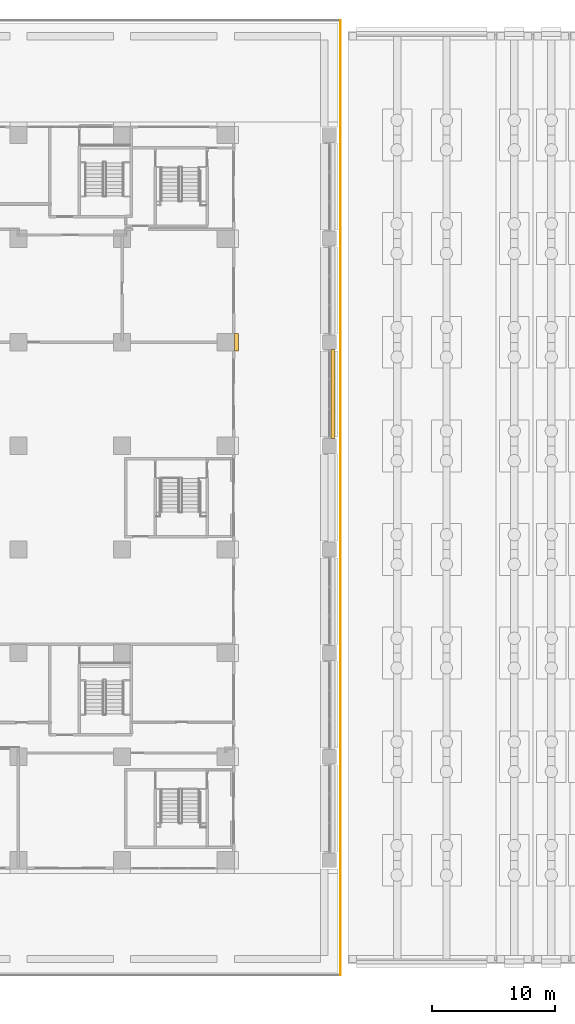
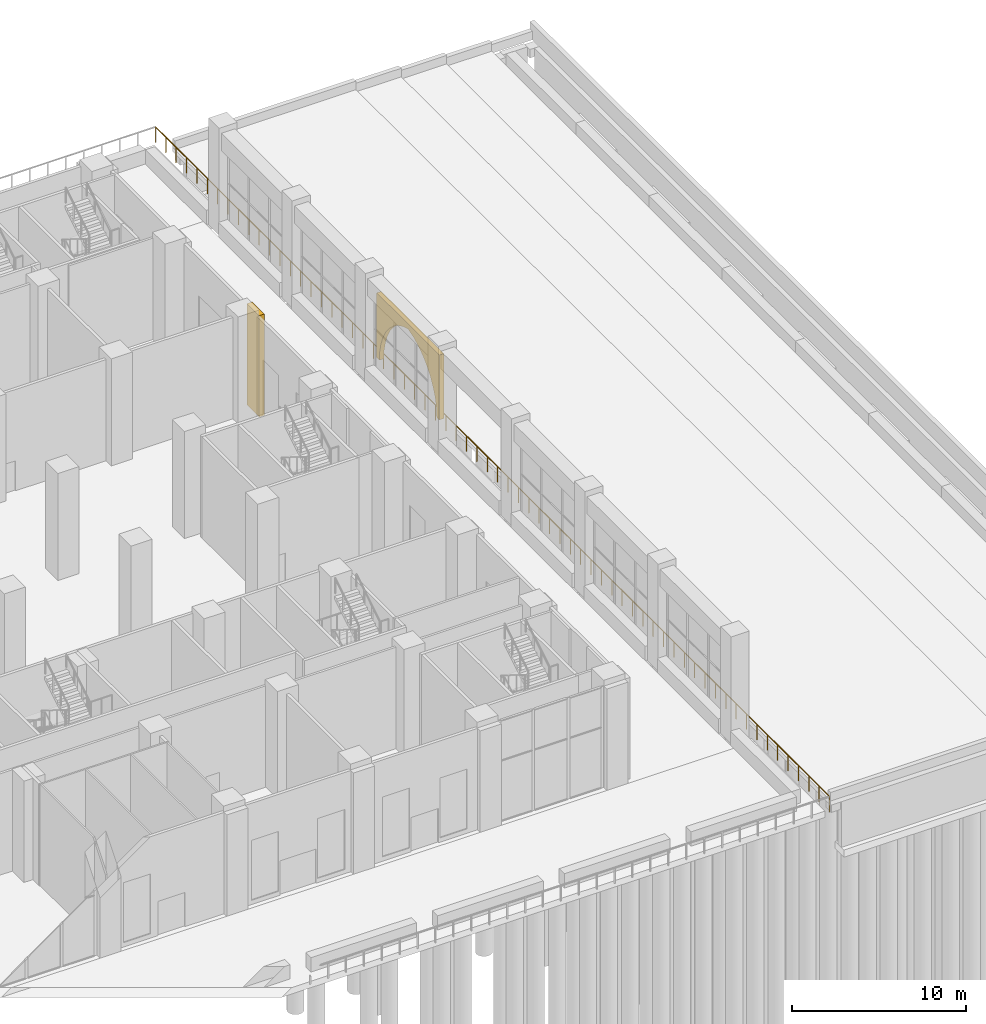
# One storey, part 48 of 53: 2 coverings, 1 railing.
"""IFC4 building model written with IfcOpenShell, lengths in metres."""

from ifc_helpers import new_model, si_unit, direction, frame, origin, origin_2d, place, context, subcontext, project, spatial, polyline, rectangle, outline, extrude, material, type_object, element, save


model = new_model("IFC4")

# Units and contexts
model_context = context("Model", 3, precision=1e-05, world=origin(), true_north=direction((0.0, 1.0)))
body_context = subcontext(model_context, "Body", "Model", "MODEL_VIEW")
ifc_project = project(units=[si_unit("LENGTHUNIT", "METRE"), si_unit("AREAUNIT", "SQUARE_METRE"), si_unit("VOLUMEUNIT", "CUBIC_METRE"), si_unit("PLANEANGLEUNIT", "RADIAN"), si_unit("MASSUNIT", "GRAM", prefix="KILO")], contexts=[model_context])

# Site, building, storey
site_placement = place(None, origin())
site = spatial("IfcSite", under=ifc_project, at=site_placement, CompositionType="ELEMENT")
building_placement = place(site_placement, origin())
building = spatial("IfcBuilding", under=site, at=building_placement, Name="Vermilion Ogive Tower", CompositionType="ELEMENT")
storey_placement = place(building_placement, origin())
storey = spatial("IfcBuildingStorey", under=building, at=storey_placement, Name="L00", CompositionType="ELEMENT", Elevation=0.0)

# Coverings
ifc_material_1 = material(Name="Stone cladding", Category="masonry")
covering_type_1 = type_object("IfcCoveringType", Name="Arcade ogive head", PredefinedType="CLADDING", material=ifc_material_1)
covering_1_placement = place(storey_placement, frame((58.949951171875, 8.39990234375, 5.89990234375), z_axis=(1.0, 0.0, 0.0), x_axis=(0.0, 1.0, 0.0)))
element("IfcCovering", 1, at=covering_1_placement, inside=storey, type_object=covering_type_1, Name="Arcade stone head L00 5", PredefinedType="CLADDING", context=body_context, shape_type="SweptSolid", body=[
    extrude(outline(polyline([(-3.300048828125, -4.550048828125), (-3.252685546875, -3.91259765625), (-3.112060546875, -3.2890625), (-2.880859375, -2.693115234375), (-2.564453125, -2.137939453125), (-2.169677734375, -1.63525390625), (-1.704833984375, -1.196533203125), (-1.1806640625, -0.830810546875), (-0.608154296875, -0.546630859375), (0.0, -0.35009765625), (0.608154296875, -0.546630859375), (1.1806640625, -0.830810546875), (1.704833984375, -1.196533203125), (2.169677734375, -1.63525390625), (2.564453125, -2.137939453125), (2.880859375, -2.693115234375), (3.112060546875, -3.2890625), (3.252685546875, -3.91259765625), (3.300048828125, -4.550048828125), (3.60009765625, -4.550048828125), (3.60009765625, 0.0), (-3.60009765625, 0.0), (-3.60009765625, -4.550048828125), (-3.300048828125, -4.550048828125)])), origin(), (0.0, 0.0, 1.0), 0.300048828125),
])
ifc_material_2 = material(Name="Stone cladding", Category="masonry")
covering_type_2 = type_object("IfcCoveringType", Name="Stone pier", PredefinedType="CLADDING", material=ifc_material_2)
covering_2_placement = place(storey_placement, origin())
element("IfcCovering", 2, at=covering_2_placement, inside=storey, type_object=covering_type_2, Name="Stone pier P+504+126", PredefinedType="CLADDING", context=body_context, shape_type="SweptSolid", body=[
    extrude(outline(polyline([(51.10009765625, 13.300048828125), (51.10009765625, 13.300048828125), (51.449951171875, 13.300048828125), (51.449951171875, 11.89990234375), (51.10009765625, 11.89990234375), (51.10009765625, 11.89990234375), (51.10009765625, 13.300048828125)])), origin(), (0.0, 0.0, 1.0), 7.10009765625),
])

# Railing
ifc_material_3 = material(Name="Stainless steel and glass", Category="steel")
railing_type = type_object("IfcRailingType", Name="Terrace guard", PredefinedType="GUARDRAIL", material=ifc_material_3)
railing_placement = place(storey_placement, frame((59.699951171875, 38.699951171875, 0.0)))
element("IfcRailing", 3, at=railing_placement, inside=storey, type_object=railing_type, Name="Terrace guard 1.1.2", PredefinedType="GUARDRAIL", context=body_context, shape_type="SweptSolid", body=[
    extrude(rectangle(XDim=0.048095703125, YDim=0.048095703125, at=origin_2d()), frame((0.0, 0.0, 1.076171875), z_axis=(0.0, -1.0, 0.0), x_axis=(1.0, 0.0, 0.0)), (0.0, 0.0, 1.0), 77.39990234375),
    extrude(rectangle(XDim=0.0419921875, YDim=0.0419921875, at=origin_2d()), origin(), (0.0, 0.0, 1.0), 1.052001953125),
    extrude(rectangle(XDim=0.0419921875, YDim=0.0419921875, at=origin_2d()), frame((0.0, -1.190673828125, 0.0)), (0.0, 0.0, 1.0), 1.052001953125),
    extrude(rectangle(XDim=0.0419921875, YDim=0.0419921875, at=origin_2d()), frame((0.0, -2.381591796875, 0.0)), (0.0, 0.0, 1.0), 1.052001953125),
    extrude(rectangle(XDim=0.0419921875, YDim=0.0419921875, at=origin_2d()), frame((0.0, -3.572265625, 0.0)), (0.0, 0.0, 1.0), 1.052001953125),
    extrude(rectangle(XDim=0.0419921875, YDim=0.0419921875, at=origin_2d()), frame((0.0, -4.76318359375, 0.0)), (0.0, 0.0, 1.0), 1.052001953125),
    extrude(rectangle(XDim=0.0419921875, YDim=0.0419921875, at=origin_2d()), frame((0.0, -5.953857421875, 0.0)), (0.0, 0.0, 1.0), 1.052001953125),
    extrude(rectangle(XDim=0.0419921875, YDim=0.0419921875, at=origin_2d()), frame((0.0, -7.14453125, 0.0)), (0.0, 0.0, 1.0), 1.052001953125),
    extrude(rectangle(XDim=0.0419921875, YDim=0.0419921875, at=origin_2d()), frame((0.0, -8.33544921875, 0.0)), (0.0, 0.0, 1.0), 1.052001953125),
    extrude(rectangle(XDim=0.0419921875, YDim=0.0419921875, at=origin_2d()), frame((0.0, -9.526123046875, 0.0)), (0.0, 0.0, 1.0), 1.052001953125),
    extrude(rectangle(XDim=0.0419921875, YDim=0.0419921875, at=origin_2d()), frame((0.0, -10.716796875, 0.0)), (0.0, 0.0, 1.0), 1.052001953125),
    extrude(rectangle(XDim=0.0419921875, YDim=0.0419921875, at=origin_2d()), frame((0.0, -11.90771484375, 0.0)), (0.0, 0.0, 1.0), 1.052001953125),
    extrude(rectangle(XDim=0.0419921875, YDim=0.0419921875, at=origin_2d()), frame((0.0, -13.098388671875, 0.0)), (0.0, 0.0, 1.0), 1.052001953125),
    extrude(rectangle(XDim=0.0419921875, YDim=0.0419921875, at=origin_2d()), frame((0.0, -14.289306640625, 0.0)), (0.0, 0.0, 1.0), 1.052001953125),
    extrude(rectangle(XDim=0.0419921875, YDim=0.0419921875, at=origin_2d()), frame((0.0, -15.47998046875, 0.0)), (0.0, 0.0, 1.0), 1.052001953125),
    extrude(rectangle(XDim=0.0419921875, YDim=0.0419921875, at=origin_2d()), frame((0.0, -16.670654296875, 0.0)), (0.0, 0.0, 1.0), 1.052001953125),
    extrude(rectangle(XDim=0.0419921875, YDim=0.0419921875, at=origin_2d()), frame((0.0, -17.861572265625, 0.0)), (0.0, 0.0, 1.0), 1.052001953125),
    extrude(rectangle(XDim=0.0419921875, YDim=0.0419921875, at=origin_2d()), frame((0.0, -19.05224609375, 0.0)), (0.0, 0.0, 1.0), 1.052001953125),
    extrude(rectangle(XDim=0.0419921875, YDim=0.0419921875, at=origin_2d()), frame((0.0, -20.2431640625, 0.0)), (0.0, 0.0, 1.0), 1.052001953125),
    extrude(rectangle(XDim=0.0419921875, YDim=0.0419921875, at=origin_2d()), frame((0.0, -21.433837890625, 0.0)), (0.0, 0.0, 1.0), 1.052001953125),
    extrude(rectangle(XDim=0.0419921875, YDim=0.0419921875, at=origin_2d()), frame((0.0, -22.62451171875, 0.0)), (0.0, 0.0, 1.0), 1.052001953125),
    extrude(rectangle(XDim=0.0419921875, YDim=0.0419921875, at=origin_2d()), frame((0.0, -23.8154296875, 0.0)), (0.0, 0.0, 1.0), 1.052001953125),
    extrude(rectangle(XDim=0.0419921875, YDim=0.0419921875, at=origin_2d()), frame((0.0, -25.006103515625, 0.0)), (0.0, 0.0, 1.0), 1.052001953125),
    extrude(rectangle(XDim=0.0419921875, YDim=0.0419921875, at=origin_2d()), frame((0.0, -26.19677734375, 0.0)), (0.0, 0.0, 1.0), 1.052001953125),
    extrude(rectangle(XDim=0.0419921875, YDim=0.0419921875, at=origin_2d()), frame((0.0, -27.3876953125, 0.0)), (0.0, 0.0, 1.0), 1.052001953125),
    extrude(rectangle(XDim=0.0419921875, YDim=0.0419921875, at=origin_2d()), frame((0.0, -28.578369140625, 0.0)), (0.0, 0.0, 1.0), 1.052001953125),
    extrude(rectangle(XDim=0.0419921875, YDim=0.0419921875, at=origin_2d()), frame((0.0, -29.769287109375, 0.0)), (0.0, 0.0, 1.0), 1.052001953125),
    extrude(rectangle(XDim=0.0419921875, YDim=0.0419921875, at=origin_2d()), frame((0.0, -30.9599609375, 0.0)), (0.0, 0.0, 1.0), 1.052001953125),
    extrude(rectangle(XDim=0.0419921875, YDim=0.0419921875, at=origin_2d()), frame((0.0, -32.150634765625, 0.0)), (0.0, 0.0, 1.0), 1.052001953125),
    extrude(rectangle(XDim=0.0419921875, YDim=0.0419921875, at=origin_2d()), frame((0.0, -33.341552734375, 0.0)), (0.0, 0.0, 1.0), 1.052001953125),
    extrude(rectangle(XDim=0.0419921875, YDim=0.0419921875, at=origin_2d()), frame((0.0, -34.5322265625, 0.0)), (0.0, 0.0, 1.0), 1.052001953125),
    extrude(rectangle(XDim=0.0419921875, YDim=0.0419921875, at=origin_2d()), frame((0.0, -35.72314453125, 0.0)), (0.0, 0.0, 1.0), 1.052001953125),
    extrude(rectangle(XDim=0.0419921875, YDim=0.0419921875, at=origin_2d()), frame((0.0, -36.913818359375, 0.0)), (0.0, 0.0, 1.0), 1.052001953125),
    extrude(rectangle(XDim=0.0419921875, YDim=0.0419921875, at=origin_2d()), frame((0.0, -38.1044921875, 0.0)), (0.0, 0.0, 1.0), 1.052001953125),
    extrude(rectangle(XDim=0.0419921875, YDim=0.0419921875, at=origin_2d()), frame((0.0, -39.29541015625, 0.0)), (0.0, 0.0, 1.0), 1.052001953125),
    extrude(rectangle(XDim=0.0419921875, YDim=0.0419921875, at=origin_2d()), frame((0.0, -40.486083984375, 0.0)), (0.0, 0.0, 1.0), 1.052001953125),
    extrude(rectangle(XDim=0.0419921875, YDim=0.0419921875, at=origin_2d()), frame((0.0, -41.6767578125, 0.0)), (0.0, 0.0, 1.0), 1.052001953125),
    extrude(rectangle(XDim=0.0419921875, YDim=0.0419921875, at=origin_2d()), frame((0.0, -42.86767578125, 0.0)), (0.0, 0.0, 1.0), 1.052001953125),
    extrude(rectangle(XDim=0.0419921875, YDim=0.0419921875, at=origin_2d()), frame((0.0, -44.058349609375, 0.0)), (0.0, 0.0, 1.0), 1.052001953125),
    extrude(rectangle(XDim=0.0419921875, YDim=0.0419921875, at=origin_2d()), frame((0.0, -45.249267578125, 0.0)), (0.0, 0.0, 1.0), 1.052001953125),
    extrude(rectangle(XDim=0.0419921875, YDim=0.0419921875, at=origin_2d()), frame((0.0, -46.43994140625, 0.0)), (0.0, 0.0, 1.0), 1.052001953125),
    extrude(rectangle(XDim=0.0419921875, YDim=0.0419921875, at=origin_2d()), frame((0.0, -47.630615234375, 0.0)), (0.0, 0.0, 1.0), 1.052001953125),
    extrude(rectangle(XDim=0.0419921875, YDim=0.0419921875, at=origin_2d()), frame((0.0, -48.821533203125, 0.0)), (0.0, 0.0, 1.0), 1.052001953125),
    extrude(rectangle(XDim=0.0419921875, YDim=0.0419921875, at=origin_2d()), frame((0.0, -50.01220703125, 0.0)), (0.0, 0.0, 1.0), 1.052001953125),
    extrude(rectangle(XDim=0.0419921875, YDim=0.0419921875, at=origin_2d()), frame((0.0, -51.203125, 0.0)), (0.0, 0.0, 1.0), 1.052001953125),
    extrude(rectangle(XDim=0.0419921875, YDim=0.0419921875, at=origin_2d()), frame((0.0, -52.393798828125, 0.0)), (0.0, 0.0, 1.0), 1.052001953125),
    extrude(rectangle(XDim=0.0419921875, YDim=0.0419921875, at=origin_2d()), frame((0.0, -53.58447265625, 0.0)), (0.0, 0.0, 1.0), 1.052001953125),
    extrude(rectangle(XDim=0.0419921875, YDim=0.0419921875, at=origin_2d()), frame((0.0, -54.775390625, 0.0)), (0.0, 0.0, 1.0), 1.052001953125),
    extrude(rectangle(XDim=0.0419921875, YDim=0.0419921875, at=origin_2d()), frame((0.0, -55.966064453125, 0.0)), (0.0, 0.0, 1.0), 1.052001953125),
    extrude(rectangle(XDim=0.0419921875, YDim=0.0419921875, at=origin_2d()), frame((0.0, -57.15673828125, 0.0)), (0.0, 0.0, 1.0), 1.052001953125),
    extrude(rectangle(XDim=0.0419921875, YDim=0.0419921875, at=origin_2d()), frame((0.0, -58.34765625, 0.0)), (0.0, 0.0, 1.0), 1.052001953125),
    extrude(rectangle(XDim=0.0419921875, YDim=0.0419921875, at=origin_2d()), frame((0.0, -59.538330078125, 0.0)), (0.0, 0.0, 1.0), 1.052001953125),
    extrude(rectangle(XDim=0.0419921875, YDim=0.0419921875, at=origin_2d()), frame((0.0, -60.729248046875, 0.0)), (0.0, 0.0, 1.0), 1.052001953125),
    extrude(rectangle(XDim=0.0419921875, YDim=0.0419921875, at=origin_2d()), frame((0.0, -61.919921875, 0.0)), (0.0, 0.0, 1.0), 1.052001953125),
    extrude(rectangle(XDim=0.0419921875, YDim=0.0419921875, at=origin_2d()), frame((0.0, -63.110595703125, 0.0)), (0.0, 0.0, 1.0), 1.052001953125),
    extrude(rectangle(XDim=0.0419921875, YDim=0.0419921875, at=origin_2d()), frame((0.0, -64.301513671875, 0.0)), (0.0, 0.0, 1.0), 1.052001953125),
    extrude(rectangle(XDim=0.0419921875, YDim=0.0419921875, at=origin_2d()), frame((0.0, -65.4921875, 0.0)), (0.0, 0.0, 1.0), 1.052001953125),
    extrude(rectangle(XDim=0.0419921875, YDim=0.0419921875, at=origin_2d()), frame((0.0, -66.68310546875, 0.0)), (0.0, 0.0, 1.0), 1.052001953125),
    extrude(rectangle(XDim=0.0419921875, YDim=0.0419921875, at=origin_2d()), frame((0.0, -67.873779296875, 0.0)), (0.0, 0.0, 1.0), 1.052001953125),
    extrude(rectangle(XDim=0.0419921875, YDim=0.0419921875, at=origin_2d()), frame((0.0, -69.064453125, 0.0)), (0.0, 0.0, 1.0), 1.052001953125),
    extrude(rectangle(XDim=0.0419921875, YDim=0.0419921875, at=origin_2d()), frame((0.0, -70.25537109375, 0.0)), (0.0, 0.0, 1.0), 1.052001953125),
    extrude(rectangle(XDim=0.0419921875, YDim=0.0419921875, at=origin_2d()), frame((0.0, -71.446044921875, 0.0)), (0.0, 0.0, 1.0), 1.052001953125),
    extrude(rectangle(XDim=0.0419921875, YDim=0.0419921875, at=origin_2d()), frame((0.0, -72.63671875, 0.0)), (0.0, 0.0, 1.0), 1.052001953125),
    extrude(rectangle(XDim=0.0419921875, YDim=0.0419921875, at=origin_2d()), frame((0.0, -73.82763671875, 0.0)), (0.0, 0.0, 1.0), 1.052001953125),
    extrude(rectangle(XDim=0.0419921875, YDim=0.0419921875, at=origin_2d()), frame((0.0, -75.018310546875, 0.0)), (0.0, 0.0, 1.0), 1.052001953125),
    extrude(rectangle(XDim=0.0419921875, YDim=0.0419921875, at=origin_2d()), frame((0.0, -76.209228515625, 0.0)), (0.0, 0.0, 1.0), 1.052001953125),
    extrude(rectangle(XDim=0.0419921875, YDim=0.0419921875, at=origin_2d()), frame((0.0, -77.39990234375, 0.0)), (0.0, 0.0, 1.0), 1.052001953125),
])

save(model, "model.ifc")
